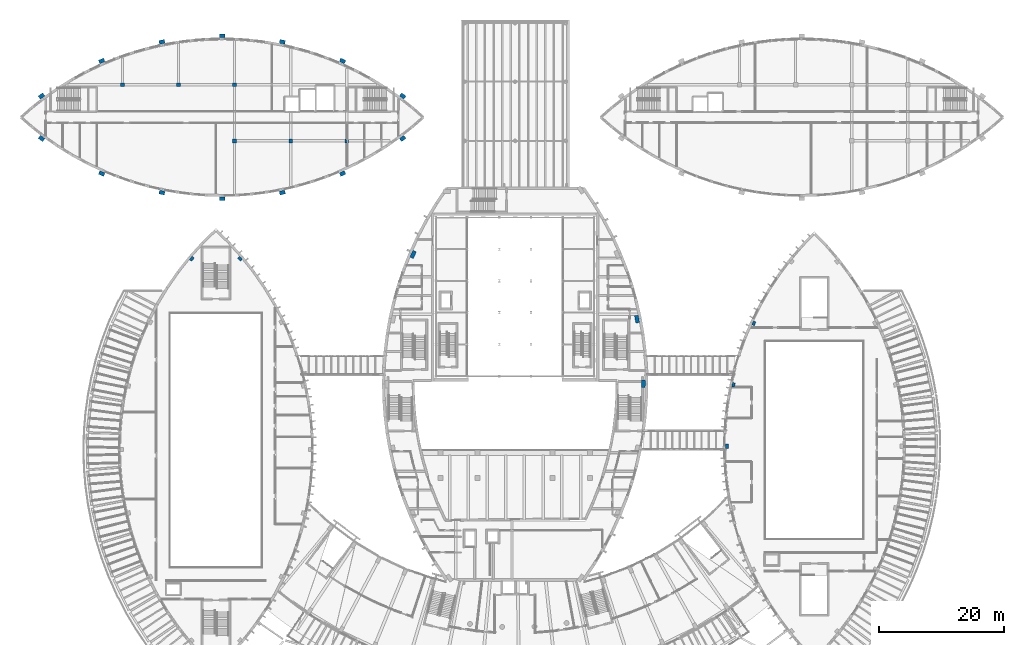
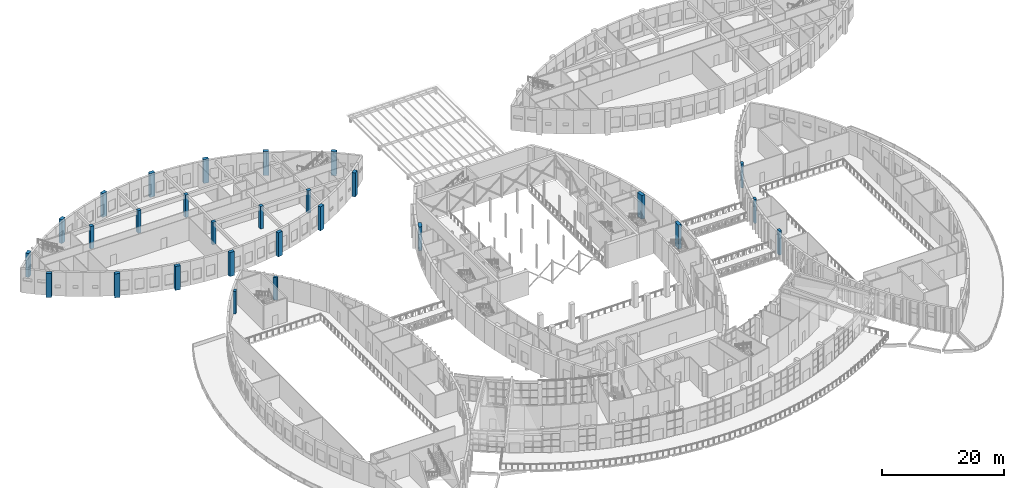
# One storey, part 3 of 93: 28 columns.
"""IFC4 building model written with IfcOpenShell, lengths in metres."""

from ifc_helpers import new_model, si_unit, direction, frame, origin, origin_2d, place, context, subcontext, project, spatial, rectangle, extrude, material, material_profile, profile_set, type_object, element, save


model = new_model("IFC4")

# Units and contexts
model_context = context("Model", 3, precision=1e-05, world=origin(), true_north=direction((0.0, 1.0)))
body_context = subcontext(model_context, "Body", "Model", "MODEL_VIEW")
ifc_project = project(units=[si_unit("LENGTHUNIT", "METRE"), si_unit("AREAUNIT", "SQUARE_METRE"), si_unit("VOLUMEUNIT", "CUBIC_METRE"), si_unit("PLANEANGLEUNIT", "RADIAN"), si_unit("MASSUNIT", "GRAM", prefix="KILO")], contexts=[model_context])

# Site, building, storey
site_placement = place(None, origin())
site = spatial("IfcSite", under=ifc_project, at=site_placement, CompositionType="ELEMENT")
building_placement = place(site_placement, origin())
building = spatial("IfcBuilding", under=site, at=building_placement, Name="Tide Square Theatres", CompositionType="ELEMENT")
storey_placement = place(building_placement, frame((0.0, 0.0, 5.39990234375)))
storey = spatial("IfcBuildingStorey", under=building, at=storey_placement, Name="L01", CompositionType="ELEMENT", Elevation=5.39990234375)

# Columns
ifc_material_1 = material(Name="Concrete C40", Category="concrete")
ifc_material_profile_1 = material_profile(ifc_material_1, rectangle(XDim=0.60009765625, YDim=0.60009765625, at=origin_2d()))
ifc_profile_set_1 = profile_set([ifc_material_profile_1], Name="Concrete C40")
column_type_1 = type_object("IfcColumnType", Name="RC column 600 x 600", PredefinedType="COLUMN", material=ifc_profile_set_1)
for number, where, z_axis, x_axis, name in (
    (1, (21.0, 103.0, 0.0), (0.0, 0.0, 1.0), (1.0, 0.0, 0.0), "Scenery Workshops frame column 1"),
    (2, (30.0, 103.0, 0.0), (0.0, 0.0, 1.0), (1.0, 0.0, 0.0), "Scenery Workshops frame column 2"),
    (3, (39.0, 94.0, 0.0), (0.0, 0.0, 1.0), (1.0, 0.0, 0.0), "Scenery Workshops frame column 3"),
    (4, (39.0, 103.0, 0.0), (0.0, 0.0, 1.0), (1.0, 0.0, 0.0), "Scenery Workshops frame column 4"),
    (5, (48.0, 94.0, 0.0), (0.0, 0.0, 1.0), (1.0, 0.0, 0.0), "Scenery Workshops frame column 5"),
    (6, (57.0, 94.0, 0.0), (0.0, 0.0, 1.0), (1.0, 0.0, 0.0), "Scenery Workshops frame column 6"),
):
    element("IfcColumn", number, at=place(storey_placement, frame(where, z_axis=z_axis, x_axis=x_axis)), inside=storey, type_object=column_type_1, Name=name, PredefinedType="COLUMN", context=body_context, shape_type="SweptSolid", body=[
        extrude(rectangle(XDim=0.60009765625, YDim=0.60009765625, at=origin_2d()), origin(), (0.0, 0.0, 1.0), 4.52001953125),
    ])
ifc_material_2 = material(Name="Concrete C40", Category="concrete")
ifc_material_profile_2 = material_profile(ifc_material_2, rectangle(XDim=1.199951171875, YDim=0.60009765625, at=origin_2d()))
ifc_profile_set_2 = profile_set([ifc_material_profile_2], Name="Concrete C40")
column_type_2 = type_object("IfcColumnType", Name="RC pier 1200 x 600", PredefinedType="PILASTER", material=ifc_profile_set_2)
for number, where, z_axis, x_axis, name in (
    (7, (104.585205078125, 55.012939453125, 0.0), (0.0, 0.0, 1.0), (0.024571762574, 0.999698068661, 0.0), "Rib foot pier"),
    (8, (103.556884765625, 65.41357421875, 0.0), (0.0, 0.0, 1.0), (-0.171172540003, 0.985241067734, 0.0), "Rib foot pier"),
    (9, (67.64013671875, 75.7880859375, 0.0), (0.0, 0.0, 1.0), (-0.416344267901, -0.90920704495, 0.0), "Rib foot pier"),
):
    element("IfcColumn", number, at=place(storey_placement, frame(where, z_axis=z_axis, x_axis=x_axis)), inside=storey, type_object=column_type_2, Name=name, PredefinedType="PILASTER", context=body_context, shape_type="SweptSolid", body=[
        extrude(rectangle(XDim=1.199951171875, YDim=0.60009765625, at=origin_2d()), origin(), (0.0, 0.0, 1.0), 4.800048828125),
    ])
ifc_material_3 = material(Name="Concrete C40", Category="concrete")
ifc_material_profile_3 = material_profile(ifc_material_3, rectangle(XDim=0.699951171875, YDim=0.449951171875, at=origin_2d()))
ifc_profile_set_3 = profile_set([ifc_material_profile_3], Name="Concrete C40")
column_type_3 = type_object("IfcColumnType", Name="RC pier 700 x 450", PredefinedType="PILASTER", material=ifc_profile_set_3)
for number, where, z_axis, x_axis, name in (
    (10, (39.86279296875, 75.09619140625, 0.0), (0.0, 0.0, 1.0), (-0.646183644891, 0.763181955418, 0.0), "Studio Theatre wall pier"),
    (11, (32.13720703125, 75.09619140625, 0.0), (0.0, 0.0, 1.0), (-0.646183644891, -0.763181955418, 0.0), "Studio Theatre wall pier"),
):
    element("IfcColumn", number, at=place(storey_placement, frame(where, z_axis=z_axis, x_axis=x_axis)), inside=storey, type_object=column_type_3, Name=name, PredefinedType="PILASTER", context=body_context, shape_type="SweptSolid", body=[
        extrude(rectangle(XDim=0.699951171875, YDim=0.449951171875, at=origin_2d()), origin(), (0.0, 0.0, 1.0), 4.5),
    ])
for number, where, z_axis, x_axis, name in (
    (12, (117.998046875, 45.0, 0.0), (0.0, 0.0, 1.0), (0.0, -1.0, 0.0), "Black Box Theatre wall pier"),
    (13, (119.037353515625, 54.869384765625, 0.0), (0.0, 0.0, 1.0), (-0.20956121082, -0.977795530221, 0.0), "Black Box Theatre wall pier"),
    (14, (122.305908203125, 64.738525390625, 0.0), (0.0, 0.0, 1.0), (-0.419559661178, -0.907727762444, 0.0), "Black Box Theatre wall pier"),
):
    element("IfcColumn", number, at=place(storey_placement, frame(where, z_axis=z_axis, x_axis=x_axis)), inside=storey, type_object=column_type_3, Name=name, PredefinedType="PILASTER", context=body_context, shape_type="SweptSolid", body=[
        extrude(rectangle(XDim=0.699951171875, YDim=0.449951171875, at=origin_2d()), origin(), (0.0, 0.0, 1.0), 4.800048828125),
    ])
ifc_material_4 = material(Name="Concrete C40", Category="concrete")
ifc_material_profile_4 = material_profile(ifc_material_4, rectangle(XDim=0.89990234375, YDim=0.60009765625, at=origin_2d()))
ifc_profile_set_4 = profile_set([ifc_material_profile_4], Name="Concrete C40")
column_type_4 = type_object("IfcColumnType", Name="RC pier 900 x 600", PredefinedType="PILASTER", material=ifc_profile_set_4)
for number, where, z_axis, x_axis, name in (
    (15, (8.02099609375, 94.390625, 0.0), (0.0, 0.0, 1.0), (0.80192785119, -0.597420891403, 0.0), "Scenery Workshops rib pier 1"),
    (16, (17.678955078125, 88.76416015625, 0.0), (0.0, 0.0, 1.0), (0.915419314521, -0.402501526211, 0.0), "Scenery Workshops rib pier 2"),
    (17, (27.339599609375, 85.707275390625, 0.0), (0.0, 0.0, 1.0), (0.979575047818, -0.201078904144, 0.0), "Scenery Workshops rib pier 3"),
    (18, (37.0, 84.731201171875, 0.0), (0.0, 0.0, 1.0), (1.0, 0.0, 0.0), "Scenery Workshops rib pier 4"),
    (19, (46.660400390625, 85.707275390625, 0.0), (0.0, 0.0, 1.0), (0.979575047818, 0.201078904144, 0.0), "Scenery Workshops rib pier 5"),
    (20, (56.321044921875, 88.76416015625, 0.0), (0.0, 0.0, 1.0), (0.915419314521, 0.402501526211, 0.0), "Scenery Workshops rib pier 6"),
    (21, (65.97900390625, 94.390625, 0.0), (0.0, 0.0, 1.0), (0.80192785119, 0.597420891403, 0.0), "Scenery Workshops rib pier 7"),
    (22, (8.02099609375, 101.20947265625, 0.0), (0.0, 0.0, 1.0), (-0.80192785119, -0.597420891403, 0.0), "Scenery Workshops rib pier 8"),
    (23, (17.678955078125, 106.8359375, 0.0), (0.0, 0.0, 1.0), (-0.915419314521, -0.402501526211, 0.0), "Scenery Workshops rib pier 9"),
    (24, (27.339599609375, 109.892822265625, 0.0), (0.0, 0.0, 1.0), (-0.979575047818, -0.201078904144, 0.0), "Scenery Workshops rib pier 10"),
    (25, (37.0, 110.86865234375, 0.0), (0.0, 0.0, 1.0), (-1.0, 0.0, 0.0), "Scenery Workshops rib pier 11"),
    (26, (46.660400390625, 109.892822265625, 0.0), (0.0, 0.0, 1.0), (-0.979575047818, 0.201078904144, 0.0), "Scenery Workshops rib pier 12"),
    (27, (56.321044921875, 106.8359375, 0.0), (0.0, 0.0, 1.0), (-0.915419314521, 0.402501526211, 0.0), "Scenery Workshops rib pier 13"),
    (28, (65.97900390625, 101.20947265625, 0.0), (0.0, 0.0, 1.0), (-0.80192785119, 0.597420891403, 0.0), "Scenery Workshops rib pier 14"),
):
    element("IfcColumn", number, at=place(storey_placement, frame(where, z_axis=z_axis, x_axis=x_axis)), inside=storey, type_object=column_type_4, Name=name, PredefinedType="PILASTER", context=body_context, shape_type="SweptSolid", body=[
        extrude(rectangle(XDim=0.89990234375, YDim=0.60009765625, at=origin_2d()), origin(), (0.0, 0.0, 1.0), 4.800048828125),
    ])

save(model, "model.ifc")
